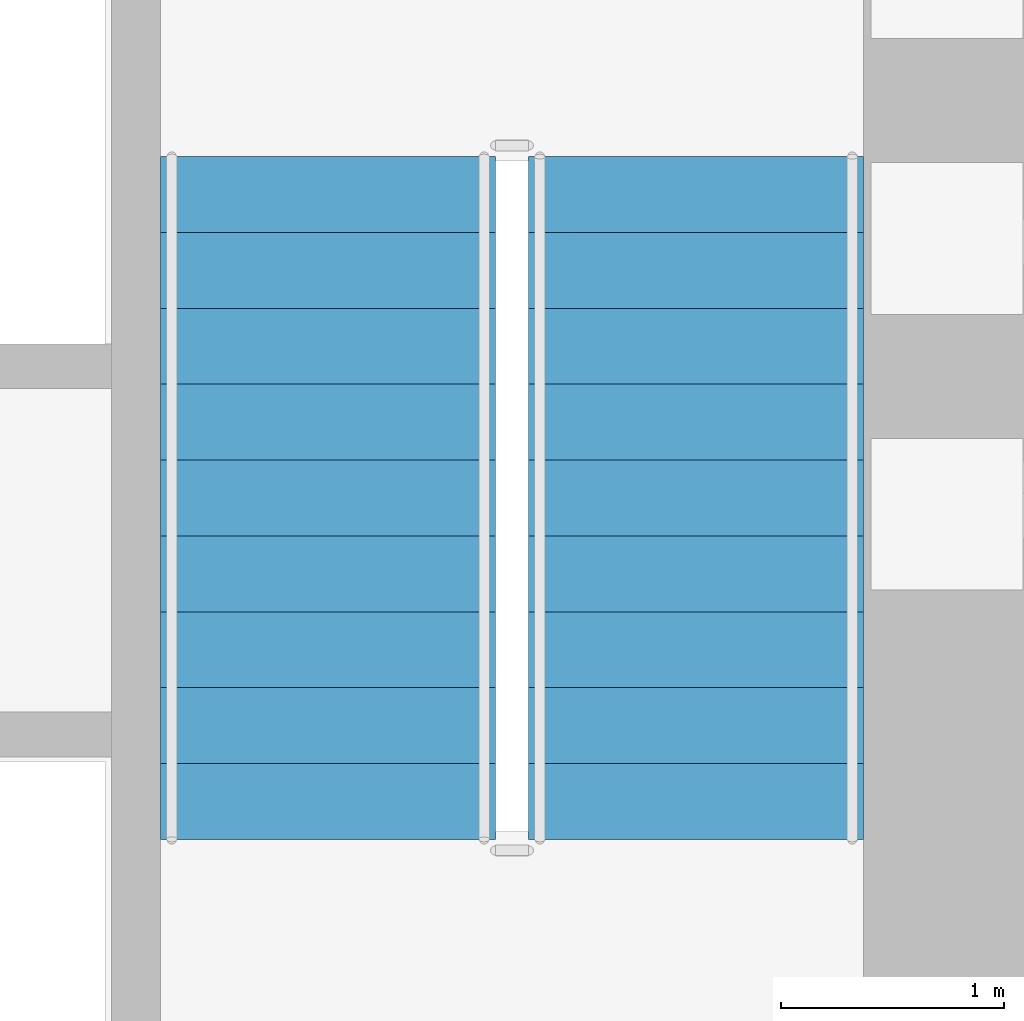
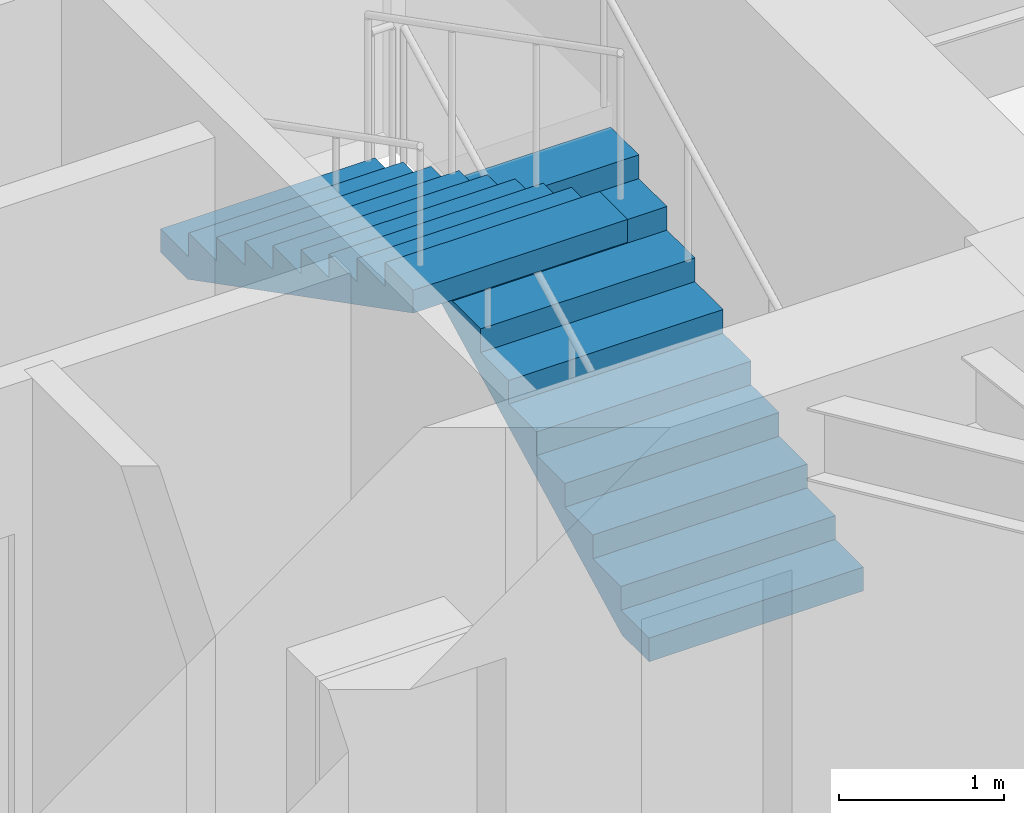
# One storey, part 13 of 17: 2 stair flights, 1 element without a shape of its own.
"""IFC4 building model written with IfcOpenShell, lengths in metres."""

import ifcopenshell
import ifcopenshell.guid

model = None  # the IFC model being written
_history = None  # IfcOwnerHistory: only IFC2X3 demands one
_inside = {}  # id of a spatial element -> (the spatial element, [elements in it])
_under = {}  # id of a project, library or spatial element -> (it, [spatial elements below it])
_declared = {}  # id of a project -> (the project, [libraries it declares])
_typed = {}  # id of a type object -> (the type object, [elements of that type])
_made_of = {}  # id of a material, layer set ... -> (it, [elements and type objects made of it])


def new_model(schema):
    """Start an empty IFC model of exactly this schema.

    Asked for "IFC4X3", IfcOpenShell would pick the latest addendum, in which some entities
    have other attributes; the version numbers below select the first issue.
    IFC2X3 requires an IfcOwnerHistory on every rooted entity: one is made here for all.
    """
    global model, _history
    if schema == "IFC4X3":
        model = ifcopenshell.file(schema_version=(4, 3, 0, 0))
    else:
        model = ifcopenshell.file(schema=schema)
    _inside.clear()
    _under.clear()
    _declared.clear()
    _typed.clear()
    _made_of.clear()
    _history = None
    if model.schema == "IFC2X3":
        org = make("IfcOrganization", Name="unknown")
        user = make(
            "IfcPersonAndOrganization",
            ThePerson=make("IfcPerson", FamilyName="unknown"),
            TheOrganization=org,
        )
        app = make(
            "IfcApplication",
            ApplicationDeveloper=org,
            Version="unknown",
            ApplicationFullName="unknown",
            ApplicationIdentifier="unknown",
        )
        _history = make(
            "IfcOwnerHistory",
            OwningUser=user,
            OwningApplication=app,
            ChangeAction="ADDED",
            CreationDate=0,
        )
    return model


def make(cls, **values):
    """One entity of the class cls with the attributes given. An attribute that is None is left unset."""
    return model.create_entity(
        cls, **{name: value for name, value in values.items() if value is not None}
    )


def rooted(cls, **values):
    """An entity with a GlobalId (a new one), such as an element, a storey or a relation."""
    return make(cls, GlobalId=ifcopenshell.guid.new(), OwnerHistory=_history, **values)


def si_unit(unit_type, name, prefix=None):
    """IfcSIUnit, for example si_unit("LENGTHUNIT", "METRE", prefix="MILLI")."""
    return make("IfcSIUnit", UnitType=unit_type, Prefix=prefix, Name=name)


def assignment(units):
    """IfcUnitAssignment: the units of a project."""
    return None if units is None else make("IfcUnitAssignment", Units=units)


def point(xyz):
    """IfcCartesianPoint."""
    return None if xyz is None else make("IfcCartesianPoint", Coordinates=xyz)


def direction(xyz):
    """IfcDirection."""
    return None if xyz is None else make("IfcDirection", DirectionRatios=xyz)


def frame(location, z_axis=None, x_axis=None):
    """IfcAxis2Placement3D, a coordinate frame: its origin and axes. An axis left out is left unset."""
    return make(
        "IfcAxis2Placement3D",
        Location=point(location),
        Axis=direction(z_axis),
        RefDirection=direction(x_axis),
    )


def origin():
    """The frame at (0, 0, 0) with its axes left unset."""
    return frame((0.0, 0.0, 0.0))


def place(relative_to, where):
    """IfcLocalPlacement: puts the frame where relative to a parent placement (None: the world)."""
    return make(
        "IfcLocalPlacement", PlacementRelTo=relative_to, RelativePlacement=where
    )


def context(
    kind, dimensions, precision=None, world=None, true_north=None, identifier=None
):
    """IfcGeometricRepresentationContext, for example the 3D "Model" context."""
    return make(
        "IfcGeometricRepresentationContext",
        ContextIdentifier=identifier,
        ContextType=kind,
        CoordinateSpaceDimension=dimensions,
        Precision=precision,
        WorldCoordinateSystem=world,
        TrueNorth=true_north,
    )


def subcontext(parent, identifier, kind, view, scale=None):
    """IfcGeometricRepresentationSubContext, for example "Body" below "Model"."""
    return make(
        "IfcGeometricRepresentationSubContext",
        ContextIdentifier=identifier,
        ContextType=kind,
        ParentContext=parent,
        TargetScale=scale,
        TargetView=view,
    )


def project(units=None, contexts=None):
    """IfcProject with its units and contexts."""
    return rooted(
        "IfcProject",
        Name="project",
        RepresentationContexts=contexts,
        UnitsInContext=assignment(units),
    )


def spatial(cls, under=None, at=None, **own):
    """A site, building, storey or space (cls), placed at a placement, below another one or the project."""
    s = rooted(cls, ObjectPlacement=at, **own)
    if under is not None:
        _under.setdefault(under.id(), (under, []))[1].append(s)
    return s


def polyline(points):
    """IfcPolyline through the points."""
    return make("IfcPolyline", Points=[point(p) for p in points])


def outline(outer, holes=None, kind="AREA"):
    """IfcArbitraryClosedProfileDef: a profile drawn as a closed curve; with holes, ...WithVoids."""
    if holes is None:
        return make("IfcArbitraryClosedProfileDef", ProfileType=kind, OuterCurve=outer)
    return make(
        "IfcArbitraryProfileDefWithVoids",
        ProfileType=kind,
        OuterCurve=outer,
        InnerCurves=holes,
    )


def extrude(swept, where, along, depth):
    """IfcExtrudedAreaSolid: the profile swept, set in the frame where, extruded along a direction by depth."""
    return make(
        "IfcExtrudedAreaSolid",
        SweptArea=swept,
        Position=where,
        ExtrudedDirection=direction(along),
        Depth=depth,
    )


def shape(context_of_items, identifier, shape_type, items):
    """IfcShapeRepresentation: the items that make up one representation, for example the "Body"."""
    return make(
        "IfcShapeRepresentation",
        ContextOfItems=context_of_items,
        RepresentationIdentifier=identifier,
        RepresentationType=shape_type,
        Items=items,
    )


def material(Name=None, Category=None):
    """IfcMaterial."""
    return make("IfcMaterial", Name=Name, Category=Category)


def made_of(thing, what):
    """Note that an element or type object is made of a material, layer set ...; save() writes the relation."""
    if what is not None:
        _made_of.setdefault(what.id(), (what, []))[1].append(thing)
    return thing


def type_object(cls, material=None, **own):
    """A type object (cls), such as IfcWallType, which elements share."""
    return made_of(rooted(cls, **own), material)


def element(
    cls,
    number,
    at=None,
    inside=None,
    cuts=None,
    type_object=None,
    material=None,
    context=None,
    identifier="Body",
    shape_type=None,
    held_by="IfcProductDefinitionShape",
    body=None,
    shapes=None,
    **own,
):
    """One element of the class cls, such as IfcWall. Its Tag is "e" and its number.

    at: its placement. inside: the storey or other place that contains it. cuts: it is an
    opening in that element (IfcRelVoidsElement). A single representation is given by context,
    identifier, shape_type and body (its items); several are given by shapes. held_by: the class
    of the entity that holds the representations. save() writes the other relations.
    """
    e = rooted(cls, Tag="e%d" % number, ObjectPlacement=at, **own)
    if body is not None:
        shapes = [shape(context, identifier, shape_type, body)]
    if shapes is not None:
        e.Representation = make(held_by, Representations=shapes)
    if inside is not None:
        _inside.setdefault(inside.id(), (inside, []))[1].append(e)
    if cuts is not None:
        rooted(
            "IfcRelVoidsElement", RelatingBuildingElement=cuts, RelatedOpeningElement=e
        )
    if type_object is not None:
        _typed.setdefault(type_object.id(), (type_object, []))[1].append(e)
    return made_of(e, material)


def aggregate(whole, parts):
    """IfcRelAggregates: a whole, such as a stair, and the parts it consists of."""
    return rooted("IfcRelAggregates", RelatingObject=whole, RelatedObjects=parts)


def save(model, path):
    """Write the relations noted so far, then the file.

    IfcRelAggregates (storeys below a building ...), IfcRelContainedInSpatialStructure (elements
    in a storey), IfcRelDefinesByType, IfcRelAssociatesMaterial and IfcRelDeclares: one each for
    every whole, place, type object, material and project.
    """
    for whole, parts in _under.values():
        aggregate(whole, parts)
    for where, things in _inside.values():
        rooted(
            "IfcRelContainedInSpatialStructure",
            RelatedElements=things,
            RelatingStructure=where,
        )
    for kind, things in _typed.values():
        rooted("IfcRelDefinesByType", RelatedObjects=things, RelatingType=kind)
    for what, things in _made_of.values():
        rooted("IfcRelAssociatesMaterial", RelatedObjects=things, RelatingMaterial=what)
    for by, libraries in _declared.values():
        rooted("IfcRelDeclares", RelatingContext=by, RelatedDefinitions=libraries)
    model.write(path)


model = new_model("IFC4")

# Units and contexts
model_context = context("Model", 3, precision=1e-05, world=origin(), true_north=direction((0.0, 1.0)))
body_context = subcontext(model_context, "Body", "Model", "MODEL_VIEW")
ifc_project = project(units=[si_unit("LENGTHUNIT", "METRE"), si_unit("AREAUNIT", "SQUARE_METRE"), si_unit("VOLUMEUNIT", "CUBIC_METRE"), si_unit("PLANEANGLEUNIT", "RADIAN"), si_unit("MASSUNIT", "GRAM", prefix="KILO")], contexts=[model_context])

# Site, building, storey
site_placement = place(None, origin())
site = spatial("IfcSite", under=ifc_project, at=site_placement, CompositionType="ELEMENT")
building_placement = place(site_placement, origin())
building = spatial("IfcBuilding", under=site, at=building_placement, Name="Keldmark Tower", CompositionType="ELEMENT")
storey_placement = place(building_placement, frame((0.0, 0.0, 96.60009765625)))
storey = spatial("IfcBuildingStorey", under=building, at=storey_placement, Name="L25", CompositionType="ELEMENT", Elevation=96.60009765625)

# Stair, stair flights
ifc_material_1 = material(Name="Concrete C40/50", Category="concrete")
stair_type = type_object("IfcStairType", Name="Precast Concrete Core Exit Stair", PredefinedType="HALF_TURN_STAIR", material=ifc_material_1)
stair_placement = place(storey_placement, origin())
stair = element("IfcStair", 1, at=stair_placement, inside=storey, type_object=stair_type, Name="L25 Exit Stair ST2", PredefinedType="HALF_TURN_STAIR")
ifc_material_2 = material(Name="Concrete C40/50", Category="concrete")
stair_flight_type = type_object("IfcStairFlightType", Name="Precast Concrete Stair Flight 1500 mm", PredefinedType="STRAIGHT", material=ifc_material_2)
stair_flight_1_placement = place(storey_placement, frame((12.39990234375, 3.35009765625, 0.0), z_axis=(0.0, 0.0, 1.0), x_axis=(0.0, 1.0, 0.0)))
stair_flight_1 = element("IfcStairFlight", 2, at=stair_flight_1_placement, type_object=stair_flight_type, Name="ST2 flight 1", NumberOfRisers=10, NumberOfTreads=9, PredefinedType="STRAIGHT", RiserHeight=0.175, TreadLength=0.34, context=body_context, shape_type="SweptSolid", body=[
    extrude(outline(polyline([(0.0, 0.0), (0.0, 0.175048828125), (0.340087890625, 0.175048828125), (0.340087890625, 0.35009765625), (0.679931640625, 0.35009765625), (0.679931640625, 0.52490234375), (1.02001953125, 0.52490234375), (1.02001953125, 0.699951171875), (1.360107421875, 0.699951171875), (1.360107421875, 0.875), (1.699951171875, 0.875), (1.699951171875, 1.050048828125), (2.0400390625, 1.050048828125), (2.0400390625, 1.22509765625), (2.3798828125, 1.22509765625), (2.3798828125, 1.39990234375), (2.719970703125, 1.39990234375), (2.719970703125, 1.574951171875), (3.06005859375, 1.574951171875), (3.06005859375, 1.75), (3.06005859375, 1.406494140625), (0.32763671875, 0.0), (0.0, 0.0)])), frame((0.0, 0.75, 0.0), z_axis=(0.0, -1.0, 0.0), x_axis=(1.0, 0.0, 0.0)), (0.0, 0.0, 1.0), 1.5),
])
stair_flight_2_placement = place(storey_placement, frame((10.75, 6.409912109375, 1.75), z_axis=(0.0, 0.0, 1.0), x_axis=(0.0, -1.0, 0.0)))
stair_flight_2 = element("IfcStairFlight", 3, at=stair_flight_2_placement, type_object=stair_flight_type, Name="ST2 flight 2", NumberOfRisers=10, NumberOfTreads=9, PredefinedType="STRAIGHT", RiserHeight=0.175, TreadLength=0.34, context=body_context, shape_type="SweptSolid", body=[
    extrude(outline(polyline([(0.0, 0.0), (0.0, 0.175048828125), (0.340087890625, 0.175048828125), (0.340087890625, 0.35009765625), (0.679931640625, 0.35009765625), (0.679931640625, 0.52490234375), (1.02001953125, 0.52490234375), (1.02001953125, 0.699951171875), (1.360107421875, 0.699951171875), (1.360107421875, 0.875), (1.699951171875, 0.875), (1.699951171875, 1.050048828125), (2.0400390625, 1.050048828125), (2.0400390625, 1.22509765625), (2.3798828125, 1.22509765625), (2.3798828125, 1.39990234375), (2.719970703125, 1.39990234375), (2.719970703125, 1.574951171875), (3.06005859375, 1.574951171875), (3.06005859375, 1.75), (3.06005859375, 1.406494140625), (0.32763671875, 0.0), (0.0, 0.0)])), frame((0.0, 0.75, 0.0), z_axis=(0.0, -1.0, 0.0), x_axis=(1.0, 0.0, 0.0)), (0.0, 0.0, 1.0), 1.5),
])
aggregate(stair, [stair_flight_1, stair_flight_2])

save(model, "model.ifc")
